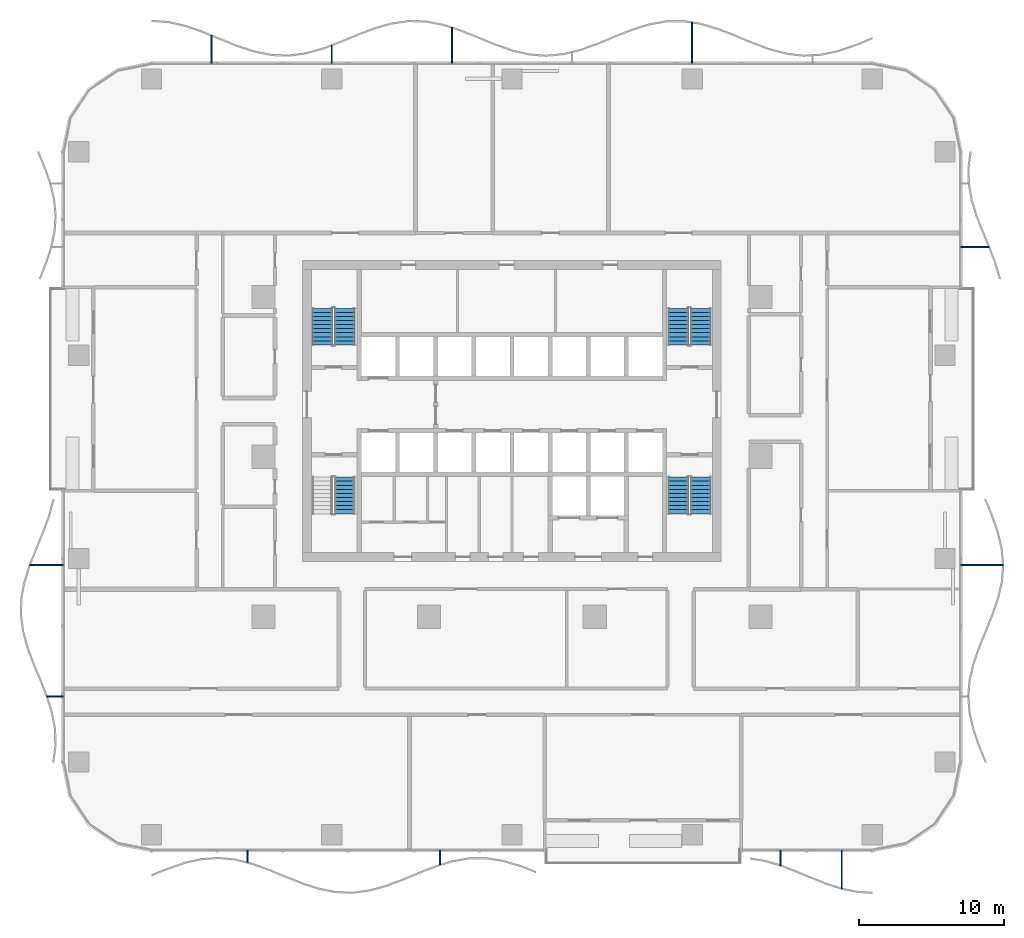
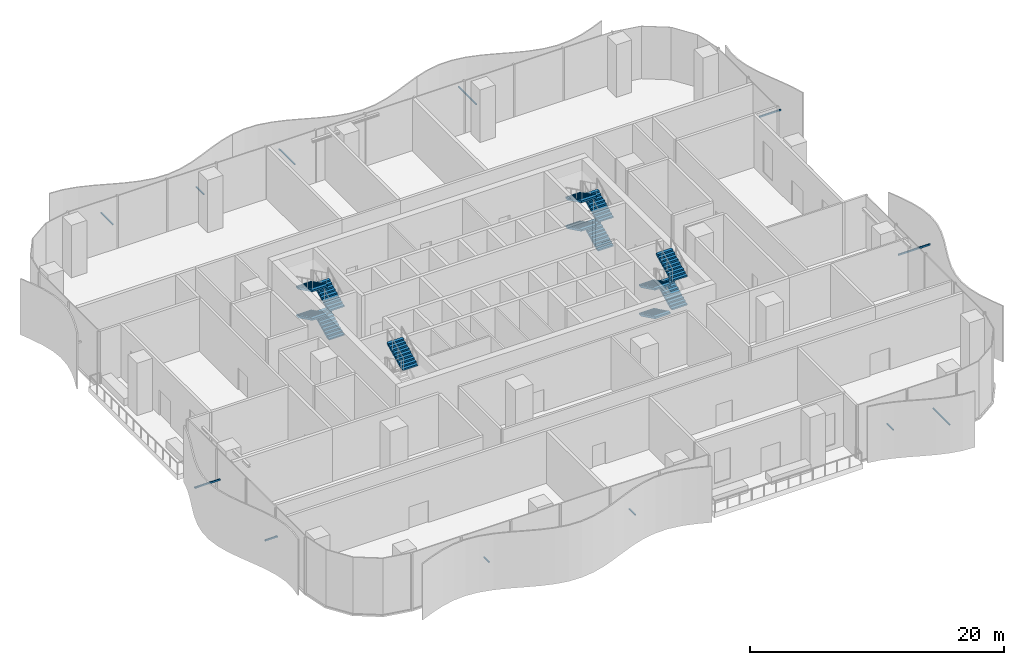
# One storey, part 12 of 20: 13 stair flights, 12 discrete accessories, 4 elements without a shape of their own.
"""IFC4 building model written with IfcOpenShell, lengths in metres."""

from ifc_helpers import new_model, si_unit, direction, frame, origin, origin_2d, place, context, subcontext, project, spatial, polyline, rectangle, outline, extrude, material, type_object, element, aggregate, save


model = new_model("IFC4")

# Units and contexts
model_context = context("Model", 3, precision=1e-05, world=origin(), true_north=direction((0.0, 1.0)))
body_context = subcontext(model_context, "Body", "Model", "MODEL_VIEW")
ifc_project = project(units=[si_unit("LENGTHUNIT", "METRE"), si_unit("AREAUNIT", "SQUARE_METRE"), si_unit("VOLUMEUNIT", "CUBIC_METRE"), si_unit("PLANEANGLEUNIT", "RADIAN"), si_unit("MASSUNIT", "GRAM", prefix="KILO")], contexts=[model_context])

# Site, building, storey
site_placement = place(None, origin())
site = spatial("IfcSite", under=ifc_project, at=site_placement, CompositionType="ELEMENT")
building_placement = place(site_placement, origin())
building = spatial("IfcBuilding", under=site, at=building_placement, Name="Mopane Tessera Tower", CompositionType="ELEMENT")
storey_placement = place(building_placement, frame((0.0, 0.0, 25.5)))
storey = spatial("IfcBuildingStorey", under=building, at=storey_placement, Name="L04", CompositionType="ELEMENT", Elevation=25.5)

# Stair, stair flight
ifc_material_1 = material(Name="Concrete C50/60", Category="concrete")
stair_type = type_object("IfcStairType", Name="Escape stair 1400 mm, riser 138 mm", PredefinedType="HALF_TURN_STAIR", material=ifc_material_1)
stair_1_placement = place(storey_placement, origin())
stair_1 = element("IfcStair", 1, at=stair_1_placement, inside=storey, type_object=stair_type, Name="L04 Escape stair south-west", PredefinedType="HALF_TURN_STAIR")
ifc_material_2 = material(Name="Concrete C50/60", Category="concrete")
stair_flight_type = type_object("IfcStairFlightType", Name="Escape stair flight 1400 mm", PredefinedType="STRAIGHT", material=ifc_material_2)
stair_flight_1_placement = place(storey_placement, frame((-11.5, -3.919921875, 4.125), z_axis=(0.0, 0.0, 1.0), x_axis=(0.0, 1.0, 0.0)))
stair_flight_1 = element("IfcStairFlight", 2, at=stair_flight_1_placement, type_object=stair_flight_type, Name="ST1 flight 4", NumberOfRisers=10, NumberOfTreads=9, PredefinedType="STRAIGHT", RiserHeight=0.1375, TreadLength=0.28, context=body_context, shape_type="SweptSolid", body=[
    extrude(outline(polyline([(0.0, 0.0), (0.0, 0.137451171875), (0.280029296875, 0.137451171875), (0.280029296875, 0.27490234375), (0.56005859375, 0.27490234375), (0.56005859375, 0.41259765625), (0.840087890625, 0.41259765625), (0.840087890625, 0.550048828125), (1.1201171875, 0.550048828125), (1.1201171875, 0.6875), (1.39990234375, 0.6875), (1.39990234375, 0.824951171875), (1.679931640625, 0.824951171875), (1.679931640625, 0.96240234375), (1.9599609375, 0.96240234375), (1.9599609375, 1.10009765625), (2.239990234375, 1.10009765625), (2.239990234375, 1.237548828125), (2.52001953125, 1.237548828125), (2.52001953125, 1.375), (2.52001953125, 1.070556640625), (0.340087890625, 0.0), (0.0, 0.0)])), frame((0.0, 0.699951171875, 0.0), z_axis=(0.0, -1.0, 0.0), x_axis=(1.0, 0.0, 0.0)), (0.0, 0.0, 1.0), 1.39990234375),
])
aggregate(stair_1, [stair_flight_1])

# Stair, stair flights
stair_2_placement = place(storey_placement, origin())
stair_2 = element("IfcStair", 3, at=stair_2_placement, inside=storey, type_object=stair_type, Name="L04 Escape stair north-west", PredefinedType="HALF_TURN_STAIR")
stair_flight_2_placement = place(storey_placement, frame((-11.5, 7.699951171875, 0.0), z_axis=(0.0, 0.0, 1.0), x_axis=(0.0, 1.0, 0.0)))
stair_flight_2 = element("IfcStairFlight", 4, at=stair_flight_2_placement, type_object=stair_flight_type, Name="ST2 flight 1", NumberOfRisers=10, NumberOfTreads=9, PredefinedType="STRAIGHT", RiserHeight=0.1375, TreadLength=0.28, context=body_context, shape_type="SweptSolid", body=[
    extrude(outline(polyline([(0.0, 0.0), (0.0, 0.137451171875), (0.280029296875, 0.137451171875), (0.280029296875, 0.27490234375), (0.56005859375, 0.27490234375), (0.56005859375, 0.41259765625), (0.840087890625, 0.41259765625), (0.840087890625, 0.550048828125), (1.1201171875, 0.550048828125), (1.1201171875, 0.6875), (1.39990234375, 0.6875), (1.39990234375, 0.824951171875), (1.679931640625, 0.824951171875), (1.679931640625, 0.96240234375), (1.9599609375, 0.96240234375), (1.9599609375, 1.10009765625), (2.239990234375, 1.10009765625), (2.239990234375, 1.237548828125), (2.52001953125, 1.237548828125), (2.52001953125, 1.375), (2.52001953125, 1.070556640625), (0.340087890625, 0.0), (0.0, 0.0)])), frame((0.0, 0.699951171875, 0.0), z_axis=(0.0, -1.0, 0.0), x_axis=(1.0, 0.0, 0.0)), (0.0, 0.0, 1.0), 1.39990234375),
])
stair_flight_3_placement = place(storey_placement, frame((-13.050048828125, 10.219970703125, 1.375), z_axis=(0.0, 0.0, 1.0), x_axis=(0.0, -1.0, 0.0)))
stair_flight_3 = element("IfcStairFlight", 5, at=stair_flight_3_placement, type_object=stair_flight_type, Name="ST2 flight 2", NumberOfRisers=10, NumberOfTreads=9, PredefinedType="STRAIGHT", RiserHeight=0.1375, TreadLength=0.28, context=body_context, shape_type="SweptSolid", body=[
    extrude(outline(polyline([(0.0, 0.0), (0.0, 0.137451171875), (0.280029296875, 0.137451171875), (0.280029296875, 0.27490234375), (0.56005859375, 0.27490234375), (0.56005859375, 0.41259765625), (0.840087890625, 0.41259765625), (0.840087890625, 0.550048828125), (1.1201171875, 0.550048828125), (1.1201171875, 0.6875), (1.39990234375, 0.6875), (1.39990234375, 0.824951171875), (1.679931640625, 0.824951171875), (1.679931640625, 0.96240234375), (1.9599609375, 0.96240234375), (1.9599609375, 1.10009765625), (2.239990234375, 1.10009765625), (2.239990234375, 1.237548828125), (2.52001953125, 1.237548828125), (2.52001953125, 1.375), (2.52001953125, 1.070556640625), (0.340087890625, 0.0), (0.0, 0.0)])), frame((0.0, 0.699951171875, 0.0), z_axis=(0.0, -1.0, 0.0), x_axis=(1.0, 0.0, 0.0)), (0.0, 0.0, 1.0), 1.39990234375),
])
stair_flight_4_placement = place(storey_placement, frame((-11.5, 7.699951171875, 2.75), z_axis=(0.0, 0.0, 1.0), x_axis=(0.0, 1.0, 0.0)))
stair_flight_4 = element("IfcStairFlight", 6, at=stair_flight_4_placement, type_object=stair_flight_type, Name="ST2 flight 3", NumberOfRisers=10, NumberOfTreads=9, PredefinedType="STRAIGHT", RiserHeight=0.1375, TreadLength=0.28, context=body_context, shape_type="SweptSolid", body=[
    extrude(outline(polyline([(0.0, 0.0), (0.0, 0.137451171875), (0.280029296875, 0.137451171875), (0.280029296875, 0.27490234375), (0.56005859375, 0.27490234375), (0.56005859375, 0.41259765625), (0.840087890625, 0.41259765625), (0.840087890625, 0.550048828125), (1.1201171875, 0.550048828125), (1.1201171875, 0.6875), (1.39990234375, 0.6875), (1.39990234375, 0.824951171875), (1.679931640625, 0.824951171875), (1.679931640625, 0.96240234375), (1.9599609375, 0.96240234375), (1.9599609375, 1.10009765625), (2.239990234375, 1.10009765625), (2.239990234375, 1.237548828125), (2.52001953125, 1.237548828125), (2.52001953125, 1.375), (2.52001953125, 1.070556640625), (0.340087890625, 0.0), (0.0, 0.0)])), frame((0.0, 0.699951171875, 0.0), z_axis=(0.0, -1.0, 0.0), x_axis=(1.0, 0.0, 0.0)), (0.0, 0.0, 1.0), 1.39990234375),
])
stair_flight_5_placement = place(storey_placement, frame((-13.050048828125, 10.219970703125, 4.125), z_axis=(0.0, 0.0, 1.0), x_axis=(0.0, -1.0, 0.0)))
stair_flight_5 = element("IfcStairFlight", 7, at=stair_flight_5_placement, type_object=stair_flight_type, Name="ST2 flight 4", NumberOfRisers=10, NumberOfTreads=9, PredefinedType="STRAIGHT", RiserHeight=0.1375, TreadLength=0.28, context=body_context, shape_type="SweptSolid", body=[
    extrude(outline(polyline([(0.0, 0.0), (0.0, 0.137451171875), (0.280029296875, 0.137451171875), (0.280029296875, 0.27490234375), (0.56005859375, 0.27490234375), (0.56005859375, 0.41259765625), (0.840087890625, 0.41259765625), (0.840087890625, 0.550048828125), (1.1201171875, 0.550048828125), (1.1201171875, 0.6875), (1.39990234375, 0.6875), (1.39990234375, 0.824951171875), (1.679931640625, 0.824951171875), (1.679931640625, 0.96240234375), (1.9599609375, 0.96240234375), (1.9599609375, 1.10009765625), (2.239990234375, 1.10009765625), (2.239990234375, 1.237548828125), (2.52001953125, 1.237548828125), (2.52001953125, 1.375), (2.52001953125, 1.070556640625), (0.340087890625, 0.0), (0.0, 0.0)])), frame((0.0, 0.699951171875, 0.0), z_axis=(0.0, -1.0, 0.0), x_axis=(1.0, 0.0, 0.0)), (0.0, 0.0, 1.0), 1.39990234375),
])
aggregate(stair_2, [stair_flight_2, stair_flight_3, stair_flight_4, stair_flight_5])

stair_3_placement = place(storey_placement, origin())
stair_3 = element("IfcStair", 8, at=stair_3_placement, inside=storey, type_object=stair_type, Name="L04 Escape stair south-east", PredefinedType="HALF_TURN_STAIR")
stair_flight_6_placement = place(storey_placement, frame((11.449951171875, -1.39990234375, 0.0), z_axis=(0.0, 0.0, 1.0), x_axis=(0.0, -1.0, 0.0)))
stair_flight_6 = element("IfcStairFlight", 9, at=stair_flight_6_placement, type_object=stair_flight_type, Name="ST3 flight 1", NumberOfRisers=10, NumberOfTreads=9, PredefinedType="STRAIGHT", RiserHeight=0.1375, TreadLength=0.28, context=body_context, shape_type="SweptSolid", body=[
    extrude(outline(polyline([(0.0, 0.0), (0.0, 0.137451171875), (0.280029296875, 0.137451171875), (0.280029296875, 0.27490234375), (0.56005859375, 0.27490234375), (0.56005859375, 0.41259765625), (0.840087890625, 0.41259765625), (0.840087890625, 0.550048828125), (1.1201171875, 0.550048828125), (1.1201171875, 0.6875), (1.39990234375, 0.6875), (1.39990234375, 0.824951171875), (1.679931640625, 0.824951171875), (1.679931640625, 0.96240234375), (1.9599609375, 0.96240234375), (1.9599609375, 1.10009765625), (2.239990234375, 1.10009765625), (2.239990234375, 1.237548828125), (2.52001953125, 1.237548828125), (2.52001953125, 1.375), (2.52001953125, 1.070556640625), (0.340087890625, 0.0), (0.0, 0.0)])), frame((0.0, 0.699951171875, 0.0), z_axis=(0.0, -1.0, 0.0), x_axis=(1.0, 0.0, 0.0)), (0.0, 0.0, 1.0), 1.39990234375),
])
stair_flight_7_placement = place(storey_placement, frame((13.0, -3.919921875, 1.375), z_axis=(0.0, 0.0, 1.0), x_axis=(0.0, 1.0, 0.0)))
stair_flight_7 = element("IfcStairFlight", 10, at=stair_flight_7_placement, type_object=stair_flight_type, Name="ST3 flight 2", NumberOfRisers=10, NumberOfTreads=9, PredefinedType="STRAIGHT", RiserHeight=0.1375, TreadLength=0.28, context=body_context, shape_type="SweptSolid", body=[
    extrude(outline(polyline([(0.0, 0.0), (0.0, 0.137451171875), (0.280029296875, 0.137451171875), (0.280029296875, 0.27490234375), (0.56005859375, 0.27490234375), (0.56005859375, 0.41259765625), (0.840087890625, 0.41259765625), (0.840087890625, 0.550048828125), (1.1201171875, 0.550048828125), (1.1201171875, 0.6875), (1.39990234375, 0.6875), (1.39990234375, 0.824951171875), (1.679931640625, 0.824951171875), (1.679931640625, 0.96240234375), (1.9599609375, 0.96240234375), (1.9599609375, 1.10009765625), (2.239990234375, 1.10009765625), (2.239990234375, 1.237548828125), (2.52001953125, 1.237548828125), (2.52001953125, 1.375), (2.52001953125, 1.070556640625), (0.340087890625, 0.0), (0.0, 0.0)])), frame((0.0, 0.699951171875, 0.0), z_axis=(0.0, -1.0, 0.0), x_axis=(1.0, 0.0, 0.0)), (0.0, 0.0, 1.0), 1.39990234375),
])
stair_flight_8_placement = place(storey_placement, frame((11.449951171875, -1.39990234375, 2.75), z_axis=(0.0, 0.0, 1.0), x_axis=(0.0, -1.0, 0.0)))
stair_flight_8 = element("IfcStairFlight", 11, at=stair_flight_8_placement, type_object=stair_flight_type, Name="ST3 flight 3", NumberOfRisers=10, NumberOfTreads=9, PredefinedType="STRAIGHT", RiserHeight=0.1375, TreadLength=0.28, context=body_context, shape_type="SweptSolid", body=[
    extrude(outline(polyline([(0.0, 0.0), (0.0, 0.137451171875), (0.280029296875, 0.137451171875), (0.280029296875, 0.27490234375), (0.56005859375, 0.27490234375), (0.56005859375, 0.41259765625), (0.840087890625, 0.41259765625), (0.840087890625, 0.550048828125), (1.1201171875, 0.550048828125), (1.1201171875, 0.6875), (1.39990234375, 0.6875), (1.39990234375, 0.824951171875), (1.679931640625, 0.824951171875), (1.679931640625, 0.96240234375), (1.9599609375, 0.96240234375), (1.9599609375, 1.10009765625), (2.239990234375, 1.10009765625), (2.239990234375, 1.237548828125), (2.52001953125, 1.237548828125), (2.52001953125, 1.375), (2.52001953125, 1.070556640625), (0.340087890625, 0.0), (0.0, 0.0)])), frame((0.0, 0.699951171875, 0.0), z_axis=(0.0, -1.0, 0.0), x_axis=(1.0, 0.0, 0.0)), (0.0, 0.0, 1.0), 1.39990234375),
])
stair_flight_9_placement = place(storey_placement, frame((13.0, -3.919921875, 4.125), z_axis=(0.0, 0.0, 1.0), x_axis=(0.0, 1.0, 0.0)))
stair_flight_9 = element("IfcStairFlight", 12, at=stair_flight_9_placement, type_object=stair_flight_type, Name="ST3 flight 4", NumberOfRisers=10, NumberOfTreads=9, PredefinedType="STRAIGHT", RiserHeight=0.1375, TreadLength=0.28, context=body_context, shape_type="SweptSolid", body=[
    extrude(outline(polyline([(0.0, 0.0), (0.0, 0.137451171875), (0.280029296875, 0.137451171875), (0.280029296875, 0.27490234375), (0.56005859375, 0.27490234375), (0.56005859375, 0.41259765625), (0.840087890625, 0.41259765625), (0.840087890625, 0.550048828125), (1.1201171875, 0.550048828125), (1.1201171875, 0.6875), (1.39990234375, 0.6875), (1.39990234375, 0.824951171875), (1.679931640625, 0.824951171875), (1.679931640625, 0.96240234375), (1.9599609375, 0.96240234375), (1.9599609375, 1.10009765625), (2.239990234375, 1.10009765625), (2.239990234375, 1.237548828125), (2.52001953125, 1.237548828125), (2.52001953125, 1.375), (2.52001953125, 1.070556640625), (0.340087890625, 0.0), (0.0, 0.0)])), frame((0.0, 0.699951171875, 0.0), z_axis=(0.0, -1.0, 0.0), x_axis=(1.0, 0.0, 0.0)), (0.0, 0.0, 1.0), 1.39990234375),
])
aggregate(stair_3, [stair_flight_6, stair_flight_7, stair_flight_8, stair_flight_9])

stair_4_placement = place(storey_placement, origin())
stair_4 = element("IfcStair", 13, at=stair_4_placement, inside=storey, type_object=stair_type, Name="L04 Escape stair north-east", PredefinedType="HALF_TURN_STAIR")
stair_flight_10_placement = place(storey_placement, frame((13.0, 7.699951171875, 0.0), z_axis=(0.0, 0.0, 1.0), x_axis=(0.0, 1.0, 0.0)))
stair_flight_10 = element("IfcStairFlight", 14, at=stair_flight_10_placement, type_object=stair_flight_type, Name="ST4 flight 1", NumberOfRisers=10, NumberOfTreads=9, PredefinedType="STRAIGHT", RiserHeight=0.1375, TreadLength=0.28, context=body_context, shape_type="SweptSolid", body=[
    extrude(outline(polyline([(0.0, 0.0), (0.0, 0.137451171875), (0.280029296875, 0.137451171875), (0.280029296875, 0.27490234375), (0.56005859375, 0.27490234375), (0.56005859375, 0.41259765625), (0.840087890625, 0.41259765625), (0.840087890625, 0.550048828125), (1.1201171875, 0.550048828125), (1.1201171875, 0.6875), (1.39990234375, 0.6875), (1.39990234375, 0.824951171875), (1.679931640625, 0.824951171875), (1.679931640625, 0.96240234375), (1.9599609375, 0.96240234375), (1.9599609375, 1.10009765625), (2.239990234375, 1.10009765625), (2.239990234375, 1.237548828125), (2.52001953125, 1.237548828125), (2.52001953125, 1.375), (2.52001953125, 1.070556640625), (0.340087890625, 0.0), (0.0, 0.0)])), frame((0.0, 0.699951171875, 0.0), z_axis=(0.0, -1.0, 0.0), x_axis=(1.0, 0.0, 0.0)), (0.0, 0.0, 1.0), 1.39990234375),
])
stair_flight_11_placement = place(storey_placement, frame((11.449951171875, 10.219970703125, 1.375), z_axis=(0.0, 0.0, 1.0), x_axis=(0.0, -1.0, 0.0)))
stair_flight_11 = element("IfcStairFlight", 15, at=stair_flight_11_placement, type_object=stair_flight_type, Name="ST4 flight 2", NumberOfRisers=10, NumberOfTreads=9, PredefinedType="STRAIGHT", RiserHeight=0.1375, TreadLength=0.28, context=body_context, shape_type="SweptSolid", body=[
    extrude(outline(polyline([(0.0, 0.0), (0.0, 0.137451171875), (0.280029296875, 0.137451171875), (0.280029296875, 0.27490234375), (0.56005859375, 0.27490234375), (0.56005859375, 0.41259765625), (0.840087890625, 0.41259765625), (0.840087890625, 0.550048828125), (1.1201171875, 0.550048828125), (1.1201171875, 0.6875), (1.39990234375, 0.6875), (1.39990234375, 0.824951171875), (1.679931640625, 0.824951171875), (1.679931640625, 0.96240234375), (1.9599609375, 0.96240234375), (1.9599609375, 1.10009765625), (2.239990234375, 1.10009765625), (2.239990234375, 1.237548828125), (2.52001953125, 1.237548828125), (2.52001953125, 1.375), (2.52001953125, 1.070556640625), (0.340087890625, 0.0), (0.0, 0.0)])), frame((0.0, 0.699951171875, 0.0), z_axis=(0.0, -1.0, 0.0), x_axis=(1.0, 0.0, 0.0)), (0.0, 0.0, 1.0), 1.39990234375),
])
stair_flight_12_placement = place(storey_placement, frame((13.0, 7.699951171875, 2.75), z_axis=(0.0, 0.0, 1.0), x_axis=(0.0, 1.0, 0.0)))
stair_flight_12 = element("IfcStairFlight", 16, at=stair_flight_12_placement, type_object=stair_flight_type, Name="ST4 flight 3", NumberOfRisers=10, NumberOfTreads=9, PredefinedType="STRAIGHT", RiserHeight=0.1375, TreadLength=0.28, context=body_context, shape_type="SweptSolid", body=[
    extrude(outline(polyline([(0.0, 0.0), (0.0, 0.137451171875), (0.280029296875, 0.137451171875), (0.280029296875, 0.27490234375), (0.56005859375, 0.27490234375), (0.56005859375, 0.41259765625), (0.840087890625, 0.41259765625), (0.840087890625, 0.550048828125), (1.1201171875, 0.550048828125), (1.1201171875, 0.6875), (1.39990234375, 0.6875), (1.39990234375, 0.824951171875), (1.679931640625, 0.824951171875), (1.679931640625, 0.96240234375), (1.9599609375, 0.96240234375), (1.9599609375, 1.10009765625), (2.239990234375, 1.10009765625), (2.239990234375, 1.237548828125), (2.52001953125, 1.237548828125), (2.52001953125, 1.375), (2.52001953125, 1.070556640625), (0.340087890625, 0.0), (0.0, 0.0)])), frame((0.0, 0.699951171875, 0.0), z_axis=(0.0, -1.0, 0.0), x_axis=(1.0, 0.0, 0.0)), (0.0, 0.0, 1.0), 1.39990234375),
])
stair_flight_13_placement = place(storey_placement, frame((11.449951171875, 10.219970703125, 4.125), z_axis=(0.0, 0.0, 1.0), x_axis=(0.0, -1.0, 0.0)))
stair_flight_13 = element("IfcStairFlight", 17, at=stair_flight_13_placement, type_object=stair_flight_type, Name="ST4 flight 4", NumberOfRisers=10, NumberOfTreads=9, PredefinedType="STRAIGHT", RiserHeight=0.1375, TreadLength=0.28, context=body_context, shape_type="SweptSolid", body=[
    extrude(outline(polyline([(0.0, 0.0), (0.0, 0.137451171875), (0.280029296875, 0.137451171875), (0.280029296875, 0.27490234375), (0.56005859375, 0.27490234375), (0.56005859375, 0.41259765625), (0.840087890625, 0.41259765625), (0.840087890625, 0.550048828125), (1.1201171875, 0.550048828125), (1.1201171875, 0.6875), (1.39990234375, 0.6875), (1.39990234375, 0.824951171875), (1.679931640625, 0.824951171875), (1.679931640625, 0.96240234375), (1.9599609375, 0.96240234375), (1.9599609375, 1.10009765625), (2.239990234375, 1.10009765625), (2.239990234375, 1.237548828125), (2.52001953125, 1.237548828125), (2.52001953125, 1.375), (2.52001953125, 1.070556640625), (0.340087890625, 0.0), (0.0, 0.0)])), frame((0.0, 0.699951171875, 0.0), z_axis=(0.0, -1.0, 0.0), x_axis=(1.0, 0.0, 0.0)), (0.0, 0.0, 1.0), 1.39990234375),
])
aggregate(stair_4, [stair_flight_10, stair_flight_11, stair_flight_12, stair_flight_13])

# Discrete accessories
ifc_material_3 = material(Name="Stainless steel S316", Category="steel")
discrete_accessory_type = type_object("IfcDiscreteAccessoryType", Name="Louvre bracket 100 x 100", PredefinedType="BRACKET", material=ifc_material_3)
discrete_accessory_1_placement = place(storey_placement, frame((-18.186279296875, -27.49609375, 2.304931640625), z_axis=(0.0, 0.0, 1.0), x_axis=(0.0, -1.0, 0.0)))
element("IfcDiscreteAccessory", 18, at=discrete_accessory_1_placement, inside=storey, type_object=discrete_accessory_type, Name="e:lv:L04:S:0:br0", PredefinedType="BRACKET", context=body_context, shape_type="SweptSolid", body=[
    extrude(rectangle(XDim=0.83203125, YDim=0.10009765625, at=origin_2d()), origin(), (0.0, 0.0, 1.0), 0.10009765625),
])
discrete_accessory_2_placement = place(storey_placement, frame((-4.958984375, -27.580322265625, 2.304931640625), z_axis=(0.0, 0.0, 1.0), x_axis=(0.0, -1.0, 0.0)))
element("IfcDiscreteAccessory", 19, at=discrete_accessory_2_placement, inside=storey, type_object=discrete_accessory_type, Name="e:lv:L04:S:0:br1", PredefinedType="BRACKET", context=body_context, shape_type="SweptSolid", body=[
    extrude(rectangle(XDim=1.0009765625, YDim=0.10009765625, at=origin_2d()), origin(), (0.0, 0.0, 1.0), 0.10009765625),
])
discrete_accessory_3_placement = place(storey_placement, frame((18.486328125, -27.60205078125, 2.304931640625), z_axis=(0.0, 0.0, 1.0), x_axis=(0.0, -1.0, 0.0)))
element("IfcDiscreteAccessory", 20, at=discrete_accessory_3_placement, inside=storey, type_object=discrete_accessory_type, Name="e:lv:L04:S:1:br0", PredefinedType="BRACKET", context=body_context, shape_type="SweptSolid", body=[
    extrude(rectangle(XDim=1.044189453125, YDim=0.10009765625, at=origin_2d()), origin(), (0.0, 0.0, 1.0), 0.10009765625),
])
discrete_accessory_4_placement = place(storey_placement, frame((22.695556640625, -28.39892578125, 2.304931640625), z_axis=(0.0, 0.0, 1.0), x_axis=(0.0, -1.0, 0.0)))
element("IfcDiscreteAccessory", 21, at=discrete_accessory_4_placement, inside=storey, type_object=discrete_accessory_type, Name="e:lv:L04:S:1:br1", PredefinedType="BRACKET", context=body_context, shape_type="SweptSolid", body=[
    extrude(rectangle(XDim=2.637939453125, YDim=0.10009765625, at=origin_2d()), origin(), (0.0, 0.0, 1.0), 0.10009765625),
])
discrete_accessory_5_placement = place(storey_placement, frame((32.33984375, -7.449951171875, 2.304931640625), z_axis=(0.0, 0.0, 1.0), x_axis=(1.0, 0.0, 0.0)))
element("IfcDiscreteAccessory", 22, at=discrete_accessory_5_placement, inside=storey, type_object=discrete_accessory_type, Name="e:lv:L04:E:0:br1", PredefinedType="BRACKET", context=body_context, shape_type="SweptSolid", body=[
    extrude(rectangle(XDim=2.919921875, YDim=0.10009765625, at=origin_2d()), origin(), (0.0, 0.0, 1.0), 0.10009765625),
])
discrete_accessory_6_placement = place(storey_placement, frame((31.8544921875, 14.449951171875, 2.304931640625), z_axis=(0.0, 0.0, 1.0), x_axis=(1.0, 0.0, 0.0)))
element("IfcDiscreteAccessory", 23, at=discrete_accessory_6_placement, inside=storey, type_object=discrete_accessory_type, Name="e:lv:L04:E:1:br0", PredefinedType="BRACKET", context=body_context, shape_type="SweptSolid", body=[
    extrude(rectangle(XDim=1.948974609375, YDim=0.10009765625, at=origin_2d()), origin(), (0.0, 0.0, 1.0), 0.10009765625),
])
discrete_accessory_7_placement = place(storey_placement, frame((12.39990234375, 28.496337890625, 2.304931640625), z_axis=(0.0, 0.0, 1.0), x_axis=(0.0, 1.0, 0.0)))
element("IfcDiscreteAccessory", 24, at=discrete_accessory_7_placement, inside=storey, type_object=discrete_accessory_type, Name="e:lv:L04:N:0:br1", PredefinedType="BRACKET", context=body_context, shape_type="SweptSolid", body=[
    extrude(rectangle(XDim=2.83251953125, YDim=0.10009765625, at=origin_2d()), origin(), (0.0, 0.0, 1.0), 0.10009765625),
])
discrete_accessory_8_placement = place(storey_placement, frame((-4.13330078125, 28.31494140625, 2.304931640625), z_axis=(0.0, 0.0, 1.0), x_axis=(0.0, 1.0, 0.0)))
element("IfcDiscreteAccessory", 25, at=discrete_accessory_8_placement, inside=storey, type_object=discrete_accessory_type, Name="e:lv:L04:N:1:br1", PredefinedType="BRACKET", context=body_context, shape_type="SweptSolid", body=[
    extrude(rectangle(XDim=2.4697265625, YDim=0.10009765625, at=origin_2d()), origin(), (0.0, 0.0, 1.0), 0.10009765625),
])
discrete_accessory_9_placement = place(storey_placement, frame((-12.39990234375, 27.696044921875, 2.304931640625), z_axis=(0.0, 0.0, 1.0), x_axis=(0.0, 1.0, 0.0)))
element("IfcDiscreteAccessory", 26, at=discrete_accessory_9_placement, inside=storey, type_object=discrete_accessory_type, Name="e:lv:L04:N:2:br0", PredefinedType="BRACKET", context=body_context, shape_type="SweptSolid", body=[
    extrude(rectangle(XDim=1.23193359375, YDim=0.10009765625, at=origin_2d()), origin(), (0.0, 0.0, 1.0), 0.10009765625),
])
discrete_accessory_10_placement = place(storey_placement, frame((-20.666748046875, 28.037353515625, 2.304931640625), z_axis=(0.0, 0.0, 1.0), x_axis=(0.0, 1.0, 0.0)))
element("IfcDiscreteAccessory", 27, at=discrete_accessory_10_placement, inside=storey, type_object=discrete_accessory_type, Name="e:lv:L04:N:2:br1", PredefinedType="BRACKET", context=body_context, shape_type="SweptSolid", body=[
    extrude(rectangle(XDim=1.91455078125, YDim=0.10009765625, at=origin_2d()), origin(), (0.0, 0.0, 1.0), 0.10009765625),
])
discrete_accessory_11_placement = place(storey_placement, frame((-32.031005859375, -7.449951171875, 2.304931640625), z_axis=(0.0, 0.0, 1.0), x_axis=(-1.0, 0.0, 0.0)))
element("IfcDiscreteAccessory", 28, at=discrete_accessory_11_placement, inside=storey, type_object=discrete_accessory_type, Name="e:lv:L04:W:1:br0", PredefinedType="BRACKET", context=body_context, shape_type="SweptSolid", body=[
    extrude(rectangle(XDim=2.3017578125, YDim=0.10009765625, at=origin_2d()), origin(), (0.0, 0.0, 1.0), 0.10009765625),
])
discrete_accessory_12_placement = place(storey_placement, frame((-31.443115234375, -16.4833984375, 2.304931640625), z_axis=(0.0, 0.0, 1.0), x_axis=(-1.0, 0.0, 0.0)))
element("IfcDiscreteAccessory", 29, at=discrete_accessory_12_placement, inside=storey, type_object=discrete_accessory_type, Name="e:lv:L04:W:1:br1", PredefinedType="BRACKET", context=body_context, shape_type="SweptSolid", body=[
    extrude(rectangle(XDim=1.1259765625, YDim=0.10009765625, at=origin_2d()), origin(), (0.0, 0.0, 1.0), 0.10009765625),
])

save(model, "model.ifc")
